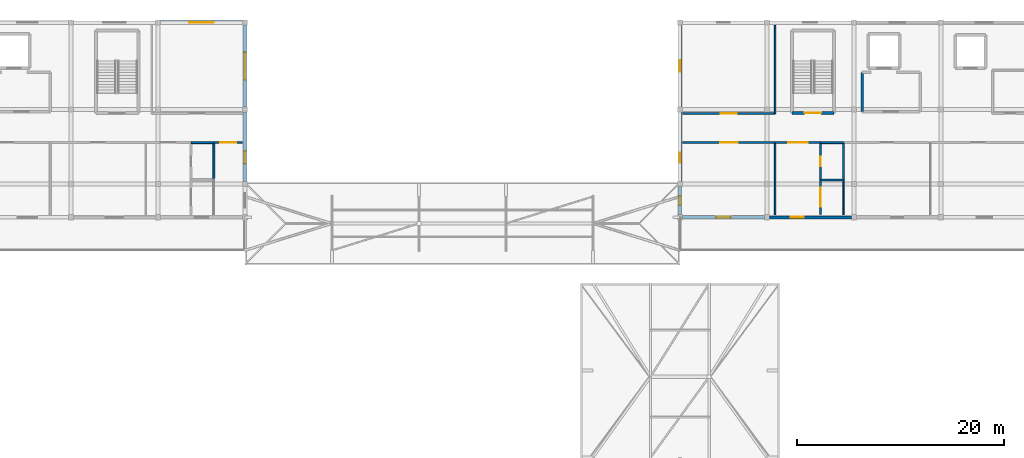
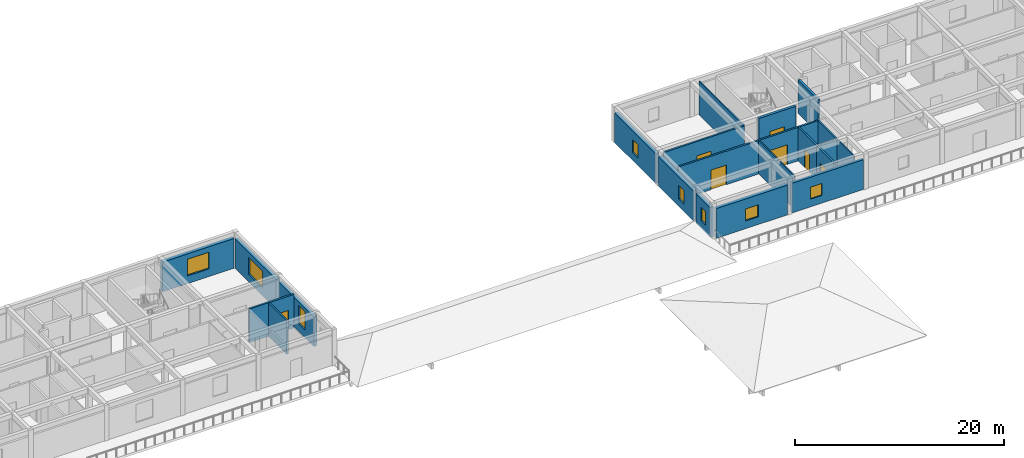
# One storey, part 14 of 26: 24 walls, 8 windows, 7 doors, 15 openings.
"""IFC4 building model written with IfcOpenShell, lengths in metres."""

import ifcopenshell
import ifcopenshell.guid

model = None  # the IFC model being written
_history = None  # IfcOwnerHistory: only IFC2X3 demands one
_inside = {}  # id of a spatial element -> (the spatial element, [elements in it])
_under = {}  # id of a project, library or spatial element -> (it, [spatial elements below it])
_declared = {}  # id of a project -> (the project, [libraries it declares])
_typed = {}  # id of a type object -> (the type object, [elements of that type])
_made_of = {}  # id of a material, layer set ... -> (it, [elements and type objects made of it])


def new_model(schema):
    """Start an empty IFC model of exactly this schema.

    Asked for "IFC4X3", IfcOpenShell would pick the latest addendum, in which some entities
    have other attributes; the version numbers below select the first issue.
    IFC2X3 requires an IfcOwnerHistory on every rooted entity: one is made here for all.
    """
    global model, _history
    if schema == "IFC4X3":
        model = ifcopenshell.file(schema_version=(4, 3, 0, 0))
    else:
        model = ifcopenshell.file(schema=schema)
    _inside.clear()
    _under.clear()
    _declared.clear()
    _typed.clear()
    _made_of.clear()
    _history = None
    if model.schema == "IFC2X3":
        org = make("IfcOrganization", Name="unknown")
        user = make(
            "IfcPersonAndOrganization",
            ThePerson=make("IfcPerson", FamilyName="unknown"),
            TheOrganization=org,
        )
        app = make(
            "IfcApplication",
            ApplicationDeveloper=org,
            Version="unknown",
            ApplicationFullName="unknown",
            ApplicationIdentifier="unknown",
        )
        _history = make(
            "IfcOwnerHistory",
            OwningUser=user,
            OwningApplication=app,
            ChangeAction="ADDED",
            CreationDate=0,
        )
    return model


def make(cls, **values):
    """One entity of the class cls with the attributes given. An attribute that is None is left unset."""
    return model.create_entity(
        cls, **{name: value for name, value in values.items() if value is not None}
    )


def rooted(cls, **values):
    """An entity with a GlobalId (a new one), such as an element, a storey or a relation."""
    return make(cls, GlobalId=ifcopenshell.guid.new(), OwnerHistory=_history, **values)


def si_unit(unit_type, name, prefix=None):
    """IfcSIUnit, for example si_unit("LENGTHUNIT", "METRE", prefix="MILLI")."""
    return make("IfcSIUnit", UnitType=unit_type, Prefix=prefix, Name=name)


def assignment(units):
    """IfcUnitAssignment: the units of a project."""
    return None if units is None else make("IfcUnitAssignment", Units=units)


def point(xyz):
    """IfcCartesianPoint."""
    return None if xyz is None else make("IfcCartesianPoint", Coordinates=xyz)


def direction(xyz):
    """IfcDirection."""
    return None if xyz is None else make("IfcDirection", DirectionRatios=xyz)


def frame(location, z_axis=None, x_axis=None):
    """IfcAxis2Placement3D, a coordinate frame: its origin and axes. An axis left out is left unset."""
    return make(
        "IfcAxis2Placement3D",
        Location=point(location),
        Axis=direction(z_axis),
        RefDirection=direction(x_axis),
    )


def frame_2d(location, x_axis=None):
    """IfcAxis2Placement2D, a coordinate frame in the plane: its origin and x axis."""
    return make(
        "IfcAxis2Placement2D", Location=point(location), RefDirection=direction(x_axis)
    )


def origin():
    """The frame at (0, 0, 0) with its axes left unset."""
    return frame((0.0, 0.0, 0.0))


def place(relative_to, where):
    """IfcLocalPlacement: puts the frame where relative to a parent placement (None: the world)."""
    return make(
        "IfcLocalPlacement", PlacementRelTo=relative_to, RelativePlacement=where
    )


def context(
    kind, dimensions, precision=None, world=None, true_north=None, identifier=None
):
    """IfcGeometricRepresentationContext, for example the 3D "Model" context."""
    return make(
        "IfcGeometricRepresentationContext",
        ContextIdentifier=identifier,
        ContextType=kind,
        CoordinateSpaceDimension=dimensions,
        Precision=precision,
        WorldCoordinateSystem=world,
        TrueNorth=true_north,
    )


def subcontext(parent, identifier, kind, view, scale=None):
    """IfcGeometricRepresentationSubContext, for example "Body" below "Model"."""
    return make(
        "IfcGeometricRepresentationSubContext",
        ContextIdentifier=identifier,
        ContextType=kind,
        ParentContext=parent,
        TargetScale=scale,
        TargetView=view,
    )


def project(units=None, contexts=None):
    """IfcProject with its units and contexts."""
    return rooted(
        "IfcProject",
        Name="project",
        RepresentationContexts=contexts,
        UnitsInContext=assignment(units),
    )


def spatial(cls, under=None, at=None, **own):
    """A site, building, storey or space (cls), placed at a placement, below another one or the project."""
    s = rooted(cls, ObjectPlacement=at, **own)
    if under is not None:
        _under.setdefault(under.id(), (under, []))[1].append(s)
    return s


def profile(cls, at=None, kind="AREA", **sizes):
    """A parametric profile (cls). Its sizes go by their IFC names, for example OverallWidth=200.0."""
    return make(cls, ProfileType=kind, Position=at, **sizes)


def rectangle(**sizes):
    """IfcRectangleProfileDef."""
    return profile("IfcRectangleProfileDef", **sizes)


def extrude(swept, where, along, depth):
    """IfcExtrudedAreaSolid: the profile swept, set in the frame where, extruded along a direction by depth."""
    return make(
        "IfcExtrudedAreaSolid",
        SweptArea=swept,
        Position=where,
        ExtrudedDirection=direction(along),
        Depth=depth,
    )


def shape(context_of_items, identifier, shape_type, items):
    """IfcShapeRepresentation: the items that make up one representation, for example the "Body"."""
    return make(
        "IfcShapeRepresentation",
        ContextOfItems=context_of_items,
        RepresentationIdentifier=identifier,
        RepresentationType=shape_type,
        Items=items,
    )


def material(Name=None, Category=None):
    """IfcMaterial."""
    return make("IfcMaterial", Name=Name, Category=Category)


def layer(
    of_material, thickness, ventilated=None, Name=None, Category=None, Priority=None
):
    """IfcMaterialLayer: one layer of a wall or slab, of a material (None: an air gap)."""
    return make(
        "IfcMaterialLayer",
        Material=of_material,
        LayerThickness=thickness,
        IsVentilated=ventilated,
        Name=Name,
        Category=Category,
        Priority=Priority,
    )


def layer_set(layers, Name=None):
    """IfcMaterialLayerSet."""
    return make("IfcMaterialLayerSet", MaterialLayers=layers, LayerSetName=Name)


def made_of(thing, what):
    """Note that an element or type object is made of a material, layer set ...; save() writes the relation."""
    if what is not None:
        _made_of.setdefault(what.id(), (what, []))[1].append(thing)
    return thing


def type_object(cls, material=None, **own):
    """A type object (cls), such as IfcWallType, which elements share."""
    return made_of(rooted(cls, **own), material)


def element(
    cls,
    number,
    at=None,
    inside=None,
    cuts=None,
    type_object=None,
    material=None,
    context=None,
    identifier="Body",
    shape_type=None,
    held_by="IfcProductDefinitionShape",
    body=None,
    shapes=None,
    **own,
):
    """One element of the class cls, such as IfcWall. Its Tag is "e" and its number.

    at: its placement. inside: the storey or other place that contains it. cuts: it is an
    opening in that element (IfcRelVoidsElement). A single representation is given by context,
    identifier, shape_type and body (its items); several are given by shapes. held_by: the class
    of the entity that holds the representations. save() writes the other relations.
    """
    e = rooted(cls, Tag="e%d" % number, ObjectPlacement=at, **own)
    if body is not None:
        shapes = [shape(context, identifier, shape_type, body)]
    if shapes is not None:
        e.Representation = make(held_by, Representations=shapes)
    if inside is not None:
        _inside.setdefault(inside.id(), (inside, []))[1].append(e)
    if cuts is not None:
        rooted(
            "IfcRelVoidsElement", RelatingBuildingElement=cuts, RelatedOpeningElement=e
        )
    if type_object is not None:
        _typed.setdefault(type_object.id(), (type_object, []))[1].append(e)
    return made_of(e, material)


def fill(opening, filler):
    """IfcRelFillsElement: the door or window that sits in an opening."""
    return rooted(
        "IfcRelFillsElement",
        RelatingOpeningElement=opening,
        RelatedBuildingElement=filler,
    )


def aggregate(whole, parts):
    """IfcRelAggregates: a whole, such as a stair, and the parts it consists of."""
    return rooted("IfcRelAggregates", RelatingObject=whole, RelatedObjects=parts)


def save(model, path):
    """Write the relations noted so far, then the file.

    IfcRelAggregates (storeys below a building ...), IfcRelContainedInSpatialStructure (elements
    in a storey), IfcRelDefinesByType, IfcRelAssociatesMaterial and IfcRelDeclares: one each for
    every whole, place, type object, material and project.
    """
    for whole, parts in _under.values():
        aggregate(whole, parts)
    for where, things in _inside.values():
        rooted(
            "IfcRelContainedInSpatialStructure",
            RelatedElements=things,
            RelatingStructure=where,
        )
    for kind, things in _typed.values():
        rooted("IfcRelDefinesByType", RelatedObjects=things, RelatingType=kind)
    for what, things in _made_of.values():
        rooted("IfcRelAssociatesMaterial", RelatedObjects=things, RelatingMaterial=what)
    for by, libraries in _declared.values():
        rooted("IfcRelDeclares", RelatingContext=by, RelatedDefinitions=libraries)
    model.write(path)


model = new_model("IFC4")

# Units and contexts
model_context = context("Model", 3, precision=1e-05, world=origin(), true_north=direction((0.0, 1.0)))
body_context = subcontext(model_context, "Body", "Model", "MODEL_VIEW")
ifc_project = project(units=[si_unit("LENGTHUNIT", "METRE"), si_unit("AREAUNIT", "SQUARE_METRE"), si_unit("VOLUMEUNIT", "CUBIC_METRE"), si_unit("PLANEANGLEUNIT", "RADIAN"), si_unit("MASSUNIT", "GRAM", prefix="KILO")], contexts=[model_context])

# Site, building, storey
site_placement = place(None, origin())
site = spatial("IfcSite", under=ifc_project, at=site_placement, CompositionType="ELEMENT")
building_placement = place(site_placement, origin())
building = spatial("IfcBuilding", under=site, at=building_placement, Name="Varncliffe General Hospital", CompositionType="ELEMENT")
storey_placement = place(building_placement, frame((0.0, 0.0, 28.800048828125)))
storey = spatial("IfcBuildingStorey", under=building, at=storey_placement, Name="L06", CompositionType="ELEMENT", Elevation=28.800048828125)

# Wall, opening, window
ifc_material_1 = material(Name="Precast concrete C40/50 with insulated cream lime-cement stucco", Category="concrete")
ifc_layer_1 = layer(ifc_material_1, 0.3798828125)
ifc_layer_set_1 = layer_set([ifc_layer_1], Name="Precast concrete C40/50 with insulated cream lime-cement stucco")
wall_type_1 = type_object("IfcWallType", Name="Exterior Insulated Stucco Wall EW26 (380mm)", PredefinedType="SOLIDWALL", material=ifc_layer_set_1)
wall_1_placement = place(storey_placement, frame((67.199951171875, 124.552001953125, 0.0), z_axis=(0.0, 0.0, 1.0), x_axis=(0.0, -1.0, 0.0)))
wall_1 = element("IfcWall", 1, at=wall_1_placement, inside=storey, type_object=wall_type_1, Name="L06 Exterior Stucco Wall EW26-492", PredefinedType="SOLIDWALL", context=body_context, shape_type="SweptSolid", body=[
    extrude(rectangle(XDim=7.904052734375, YDim=0.3798828125, at=frame_2d((3.9521484375, 0.0))), origin(), (0.0, 0.0, 1.0), 3.47998046875),
])
opening_1_placement = place(wall_1_placement, frame((2.626953125, 0.0, 0.89990234375)))
opening_1 = element("IfcOpeningElement", 2, at=opening_1_placement, cuts=wall_1, Name="Opening WN30", PredefinedType="OPENING", context=body_context, shape_type="SweptSolid", body=[
    extrude(rectangle(XDim=2.64990234375, YDim=1.949951171875, at=frame_2d((1.324951171875, 0.97509765625))), frame((0.0, 0.199951171875, 0.0), z_axis=(0.0, -1.0, 0.0), x_axis=(1.0, 0.0, 0.0)), (0.0, 0.0, 1.0), 0.39990234375),
])
ifc_material_2 = material(Name="Triple low-E argon insulated vision glazing", Category="glass")
window_type_1 = type_object("IfcWindowType", Name="Triple-Glazed Hospital Window WN30 (2650x1950)", PartitioningType="DOUBLE_PANEL_VERTICAL", PredefinedType="WINDOW", material=ifc_material_2)
window_1_placement = place(opening_1_placement, origin())
window_1 = element("IfcWindow", 3, at=window_1_placement, inside=storey, type_object=window_type_1, Name="L06 Hospital Window WN30-384", OverallHeight=1.949951171875, OverallWidth=2.64990234375, PartitioningType="DOUBLE_PANEL_VERTICAL", PredefinedType="WINDOW", context=body_context, shape_type="SweptSolid", body=[
    extrude(rectangle(XDim=2.64990234375, YDim=1.949951171875, at=frame_2d((1.324951171875, 0.97509765625))), frame((0.0, 0.030029296875, 0.0), z_axis=(0.0, -1.0, 0.0), x_axis=(1.0, 0.0, 0.0)), (0.0, 0.0, 1.0), 0.06005859375),
])
fill(opening_1, window_1)

wall_2_placement = place(storey_placement, frame((117.35205078125, 106.0, 0.0), z_axis=(0.0, 0.0, 1.0), x_axis=(-1.0, 0.0, 0.0)))
wall_2 = element("IfcWall", 4, at=wall_2_placement, inside=storey, type_object=wall_type_1, Name="L06 Exterior Stucco Wall EW26-513", PredefinedType="SOLIDWALL", context=body_context, shape_type="SweptSolid", body=[
    extrude(rectangle(XDim=7.904052734375, YDim=0.3798828125, at=frame_2d((3.9521484375, 0.0))), origin(), (0.0, 0.0, 1.0), 3.47998046875),
])
opening_2_placement = place(wall_2_placement, frame((3.251953125, 0.0, 0.89990234375)))
opening_2 = element("IfcOpeningElement", 5, at=opening_2_placement, cuts=wall_2, Name="Opening WN76", PredefinedType="OPENING", context=body_context, shape_type="SweptSolid", body=[
    extrude(rectangle(XDim=1.39990234375, YDim=1.39990234375, at=frame_2d((0.699951171875, 0.699951171875))), frame((0.0, 0.199951171875, 0.0), z_axis=(0.0, -1.0, 0.0), x_axis=(1.0, 0.0, 0.0)), (0.0, 0.0, 1.0), 0.39990234375),
])
window_type_2 = type_object("IfcWindowType", Name="Triple-Glazed Hospital Window WN76 (1400x1400)", PartitioningType="SINGLE_PANEL", PredefinedType="WINDOW", material=ifc_material_2)
window_2_placement = place(opening_2_placement, origin())
window_2 = element("IfcWindow", 6, at=window_2_placement, inside=storey, type_object=window_type_2, Name="L06 Hospital Window WN76-402", OverallHeight=1.39990234375, OverallWidth=1.39990234375, PartitioningType="SINGLE_PANEL", PredefinedType="WINDOW", context=body_context, shape_type="SweptSolid", body=[
    extrude(rectangle(XDim=1.39990234375, YDim=1.39990234375, at=frame_2d((0.699951171875, 0.699951171875))), frame((0.0, 0.030029296875, 0.0), z_axis=(0.0, -1.0, 0.0), x_axis=(1.0, 0.0, 0.0)), (0.0, 0.0, 1.0), 0.06005859375),
])
fill(opening_2, window_2)

wall_3_placement = place(storey_placement, frame((109.199951171875, 116.64794921875, 0.0), z_axis=(0.0, 0.0, 1.0), x_axis=(0.0, 1.0, 0.0)))
wall_3 = element("IfcWall", 7, at=wall_3_placement, inside=storey, type_object=wall_type_1, Name="L06 Exterior Stucco Wall EW26-516", PredefinedType="SOLIDWALL", context=body_context, shape_type="SweptSolid", body=[
    extrude(rectangle(XDim=7.904052734375, YDim=0.3798828125, at=frame_2d((3.9521484375, 0.0))), origin(), (0.0, 0.0, 1.0), 3.47998046875),
])
opening_3_placement = place(wall_3_placement, frame((3.402099609375, 0.0, 0.89990234375)))
opening_3 = element("IfcOpeningElement", 8, at=opening_3_placement, cuts=wall_3, Name="Opening WN69", PredefinedType="OPENING", context=body_context, shape_type="SweptSolid", body=[
    extrude(rectangle(XDim=1.10009765625, YDim=1.550048828125, at=frame_2d((0.550048828125, 0.77490234375))), frame((0.0, 0.199951171875, 0.0), z_axis=(0.0, -1.0, 0.0), x_axis=(1.0, 0.0, 0.0)), (0.0, 0.0, 1.0), 0.39990234375),
])
window_type_3 = type_object("IfcWindowType", Name="Triple-Glazed Hospital Window WN69 (1100x1550)", PartitioningType="SINGLE_PANEL", PredefinedType="WINDOW", material=ifc_material_2)
window_3_placement = place(opening_3_placement, origin())
window_3 = element("IfcWindow", 9, at=window_3_placement, inside=storey, type_object=window_type_3, Name="L06 Hospital Window WN69-405", OverallHeight=1.550048828125, OverallWidth=1.10009765625, PartitioningType="SINGLE_PANEL", PredefinedType="WINDOW", context=body_context, shape_type="SweptSolid", body=[
    extrude(rectangle(XDim=1.10009765625, YDim=1.550048828125, at=frame_2d((0.550048828125, 0.77490234375))), frame((0.0, 0.030029296875, 0.0), z_axis=(0.0, -1.0, 0.0), x_axis=(1.0, 0.0, 0.0)), (0.0, 0.0, 1.0), 0.06005859375),
])
fill(opening_3, window_3)

ifc_layer_2 = layer(ifc_material_1, 0.2900390625)
ifc_layer_set_2 = layer_set([ifc_layer_2], Name="Precast concrete C40/50 with insulated cream lime-cement stucco")
wall_type_2 = type_object("IfcWallType", Name="Exterior Insulated Stucco Wall EW31 (290mm)", PredefinedType="SOLIDWALL", material=ifc_layer_set_2)
wall_4_placement = place(storey_placement, frame((125.751953125, 106.0, 0.0), z_axis=(0.0, 0.0, 1.0), x_axis=(-1.0, 0.0, 0.0)))
wall_4 = element("IfcWall", 10, at=wall_4_placement, inside=storey, type_object=wall_type_2, Name="L06 Exterior Stucco Wall EW31-512", PredefinedType="SOLIDWALL", context=body_context, shape_type="SweptSolid", body=[
    extrude(rectangle(XDim=7.904052734375, YDim=0.2900390625, at=frame_2d((3.9521484375, 0.0))), origin(), (0.0, 0.0, 1.0), 3.47998046875),
])
opening_4_placement = place(wall_4_placement, frame((4.593017578125, 0.0, 0.89990234375)))
opening_4 = element("IfcOpeningElement", 11, at=opening_4_placement, cuts=wall_4, Name="Opening WN43", PredefinedType="OPENING", context=body_context, shape_type="SweptSolid", body=[
    extrude(rectangle(XDim=1.25, YDim=1.39990234375, at=frame_2d((0.625, 0.699951171875))), frame((0.0, 0.155029296875, 0.0), z_axis=(0.0, -1.0, 0.0), x_axis=(1.0, 0.0, 0.0)), (0.0, 0.0, 1.0), 0.31005859375),
])
window_type_4 = type_object("IfcWindowType", Name="Triple-Glazed Hospital Window WN43 (1250x1400)", PartitioningType="SINGLE_PANEL", PredefinedType="WINDOW", material=ifc_material_2)
window_4_placement = place(opening_4_placement, origin())
window_4 = element("IfcWindow", 12, at=window_4_placement, inside=storey, type_object=window_type_4, Name="L06 Hospital Window WN43-401", OverallHeight=1.39990234375, OverallWidth=1.25, PartitioningType="SINGLE_PANEL", PredefinedType="WINDOW", context=body_context, shape_type="SweptSolid", body=[
    extrude(rectangle(XDim=1.25, YDim=1.39990234375, at=frame_2d((0.625, 0.699951171875))), frame((0.0, 0.030029296875, 0.0), z_axis=(0.0, -1.0, 0.0), x_axis=(1.0, 0.0, 0.0)), (0.0, 0.0, 1.0), 0.06005859375),
])
fill(opening_4, window_4)

ifc_layer_3 = layer(ifc_material_1, 0.35009765625)
ifc_layer_set_3 = layer_set([ifc_layer_3], Name="Precast concrete C40/50 with insulated cream lime-cement stucco")
wall_type_3 = type_object("IfcWallType", Name="Exterior Insulated Stucco Wall EW37 (350mm)", PredefinedType="SOLIDWALL", material=ifc_layer_set_3)
wall_5_placement = place(storey_placement, frame((67.199951171875, 116.152099609375, 0.0), z_axis=(0.0, 0.0, 1.0), x_axis=(0.0, -1.0, 0.0)))
wall_5 = element("IfcWall", 13, at=wall_5_placement, inside=storey, type_object=wall_type_3, Name="L06 Exterior Stucco Wall EW37-493", PredefinedType="SOLIDWALL", context=body_context, shape_type="SweptSolid", body=[
    extrude(rectangle(XDim=6.7041015625, YDim=0.35009765625, at=frame_2d((3.35205078125, 0.0))), origin(), (0.0, 0.0, 1.0), 3.47998046875),
])
opening_5_placement = place(wall_5_placement, frame((3.764892578125, 0.0, 0.89990234375)))
opening_5 = element("IfcOpeningElement", 14, at=opening_5_placement, cuts=wall_5, Name="Opening WN36", PredefinedType="OPENING", context=body_context, shape_type="SweptSolid", body=[
    extrude(rectangle(XDim=1.199951171875, YDim=2.14990234375, at=frame_2d((0.60009765625, 1.074951171875))), frame((0.0, 0.18505859375, 0.0), z_axis=(0.0, -1.0, 0.0), x_axis=(1.0, 0.0, 0.0)), (0.0, 0.0, 1.0), 0.3701171875),
])
window_type_5 = type_object("IfcWindowType", Name="Triple-Glazed Hospital Window WN36 (1200x2150)", PartitioningType="SINGLE_PANEL", PredefinedType="WINDOW", material=ifc_material_2)
window_5_placement = place(opening_5_placement, origin())
window_5 = element("IfcWindow", 15, at=window_5_placement, inside=storey, type_object=window_type_5, Name="L06 Hospital Window WN36-385", OverallHeight=2.14990234375, OverallWidth=1.199951171875, PartitioningType="SINGLE_PANEL", PredefinedType="WINDOW", context=body_context, shape_type="SweptSolid", body=[
    extrude(rectangle(XDim=1.199951171875, YDim=2.14990234375, at=frame_2d((0.60009765625, 1.074951171875))), frame((0.0, 0.030029296875, 0.0), z_axis=(0.0, -1.0, 0.0), x_axis=(1.0, 0.0, 0.0)), (0.0, 0.0, 1.0), 0.06005859375),
])
fill(opening_5, window_5)

wall_6_placement = place(storey_placement, frame((109.199951171875, 106.248046875, 0.0), z_axis=(0.0, 0.0, 1.0), x_axis=(0.0, 1.0, 0.0)))
wall_6 = element("IfcWall", 16, at=wall_6_placement, inside=storey, type_object=wall_type_3, Name="L06 Exterior Stucco Wall EW37-514", PredefinedType="SOLIDWALL", context=body_context, shape_type="SweptSolid", body=[
    extrude(rectangle(XDim=2.703857421875, YDim=0.35009765625, at=frame_2d((1.35205078125, 0.0))), origin(), (0.0, 0.0, 1.0), 3.47998046875),
])
opening_6_placement = place(wall_6_placement, frame((0.902099609375, 0.0, 0.89990234375)))
opening_6 = element("IfcOpeningElement", 17, at=opening_6_placement, cuts=wall_6, Name="Opening WN45", PredefinedType="OPENING", context=body_context, shape_type="SweptSolid", body=[
    extrude(rectangle(XDim=0.89990234375, YDim=1.550048828125, at=frame_2d((0.449951171875, 0.77490234375))), frame((0.0, 0.18505859375, 0.0), z_axis=(0.0, -1.0, 0.0), x_axis=(1.0, 0.0, 0.0)), (0.0, 0.0, 1.0), 0.3701171875),
])
window_type_6 = type_object("IfcWindowType", Name="Triple-Glazed Hospital Window WN45 (900x1550)", PartitioningType="SINGLE_PANEL", PredefinedType="WINDOW", material=ifc_material_2)
window_6_placement = place(opening_6_placement, origin())
window_6 = element("IfcWindow", 18, at=window_6_placement, inside=storey, type_object=window_type_6, Name="L06 Hospital Window WN45-403", OverallHeight=1.550048828125, OverallWidth=0.89990234375, PartitioningType="SINGLE_PANEL", PredefinedType="WINDOW", context=body_context, shape_type="SweptSolid", body=[
    extrude(rectangle(XDim=0.89990234375, YDim=1.550048828125, at=frame_2d((0.449951171875, 0.77490234375))), frame((0.0, 0.030029296875, 0.0), z_axis=(0.0, -1.0, 0.0), x_axis=(1.0, 0.0, 0.0)), (0.0, 0.0, 1.0), 0.06005859375),
])
fill(opening_6, window_6)

ifc_layer_4 = layer(ifc_material_1, 0.39990234375)
ifc_layer_set_4 = layer_set([ifc_layer_4], Name="Precast concrete C40/50 with insulated cream lime-cement stucco")
wall_type_4 = type_object("IfcWallType", Name="Exterior Insulated Stucco Wall EW47 (400mm)", PredefinedType="SOLIDWALL", material=ifc_layer_set_4)
wall_7_placement = place(storey_placement, frame((59.048095703125, 124.800048828125, 0.0), z_axis=(0.0, 0.0, 1.0), x_axis=(1.0, 0.0, 0.0)))
wall_7 = element("IfcWall", 19, at=wall_7_placement, inside=storey, type_object=wall_type_4, Name="L06 Exterior Stucco Wall EW47-491", PredefinedType="SOLIDWALL", context=body_context, shape_type="SweptSolid", body=[
    extrude(rectangle(XDim=7.90380859375, YDim=0.39990234375, at=frame_2d((3.951904296875, 0.0))), origin(), (0.0, 0.0, 1.0), 3.47998046875),
])
opening_7_placement = place(wall_7_placement, frame((2.751953125, 0.0, 0.89990234375)))
opening_7 = element("IfcOpeningElement", 20, at=opening_7_placement, cuts=wall_7, Name="Opening WN16", PredefinedType="OPENING", context=body_context, shape_type="SweptSolid", body=[
    extrude(rectangle(XDim=2.39990234375, YDim=1.949951171875, at=frame_2d((1.199951171875, 0.97509765625))), frame((0.0, 0.2099609375, 0.0), z_axis=(0.0, -1.0, 0.0), x_axis=(1.0, 0.0, 0.0)), (0.0, 0.0, 1.0), 0.419921875),
])
window_type_7 = type_object("IfcWindowType", Name="Triple-Glazed Hospital Window WN16 (2400x1950)", PartitioningType="DOUBLE_PANEL_VERTICAL", PredefinedType="WINDOW", material=ifc_material_2)
window_7_placement = place(opening_7_placement, origin())
window_7 = element("IfcWindow", 21, at=window_7_placement, inside=storey, type_object=window_type_7, Name="L06 Hospital Window WN16-383", OverallHeight=1.949951171875, OverallWidth=2.39990234375, PartitioningType="DOUBLE_PANEL_VERTICAL", PredefinedType="WINDOW", context=body_context, shape_type="SweptSolid", body=[
    extrude(rectangle(XDim=2.39990234375, YDim=1.949951171875, at=frame_2d((1.199951171875, 0.97509765625))), frame((0.0, 0.030029296875, 0.0), z_axis=(0.0, -1.0, 0.0), x_axis=(1.0, 0.0, 0.0)), (0.0, 0.0, 1.0), 0.06005859375),
])
fill(opening_7, window_7)

wall_8_placement = place(storey_placement, frame((109.199951171875, 109.447998046875, 0.0), z_axis=(0.0, 0.0, 1.0), x_axis=(0.0, 1.0, 0.0)))
wall_8 = element("IfcWall", 22, at=wall_8_placement, inside=storey, type_object=wall_type_4, Name="L06 Exterior Stucco Wall EW47-515", PredefinedType="SOLIDWALL", context=body_context, shape_type="SweptSolid", body=[
    extrude(rectangle(XDim=6.7041015625, YDim=0.39990234375, at=frame_2d((3.35205078125, 0.0))), origin(), (0.0, 0.0, 1.0), 3.47998046875),
])
opening_8_placement = place(wall_8_placement, frame((1.795166015625, 0.0, 0.89990234375)))
opening_8 = element("IfcOpeningElement", 23, at=opening_8_placement, cuts=wall_8, Name="Opening WN21", PredefinedType="OPENING", context=body_context, shape_type="SweptSolid", body=[
    extrude(rectangle(XDim=1.0, YDim=1.550048828125, at=frame_2d((0.5, 0.77490234375))), frame((0.0, 0.2099609375, 0.0), z_axis=(0.0, -1.0, 0.0), x_axis=(1.0, 0.0, 0.0)), (0.0, 0.0, 1.0), 0.419921875),
])
window_type_8 = type_object("IfcWindowType", Name="Triple-Glazed Hospital Window WN21 (1000x1550)", PartitioningType="SINGLE_PANEL", PredefinedType="WINDOW", material=ifc_material_2)
window_8_placement = place(opening_8_placement, origin())
window_8 = element("IfcWindow", 24, at=window_8_placement, inside=storey, type_object=window_type_8, Name="L06 Hospital Window WN21-404", OverallHeight=1.550048828125, OverallWidth=1.0, PartitioningType="SINGLE_PANEL", PredefinedType="WINDOW", context=body_context, shape_type="SweptSolid", body=[
    extrude(rectangle(XDim=1.0, YDim=1.550048828125, at=frame_2d((0.5, 0.77490234375))), frame((0.0, 0.030029296875, 0.0), z_axis=(0.0, -1.0, 0.0), x_axis=(1.0, 0.0, 0.0)), (0.0, 0.0, 1.0), 0.06005859375),
])
fill(opening_8, window_8)

# Walls
ifc_material_3 = material(Name="Acoustic clinical gypsum stud partition assembly", Category="gypsum")
ifc_layer_5 = layer(ifc_material_3, 0.1298828125)
ifc_layer_set_5 = layer_set([ifc_layer_5], Name="Acoustic clinical gypsum stud partition assembly")
wall_type_5 = type_object("IfcWallType", Name="Interior Partitioning IW11 (130mm)", PredefinedType="PARTITIONING", material=ifc_layer_set_5)
wall_9_placement = place(storey_placement, frame((118.39990234375, 106.260009765625, 0.0), z_axis=(0.0, 0.0, 1.0), x_axis=(0.0, 1.0, 0.0)))
element("IfcWall", 25, at=wall_9_placement, inside=storey, type_object=wall_type_5, Name="L06 Interior Partition Wall IW11-2293", PredefinedType="PARTITIONING", context=body_context, shape_type="SweptSolid", body=[
    extrude(rectangle(XDim=6.93994140625, YDim=0.1298828125, at=frame_2d((3.469970703125, 0.0))), origin(), (0.0, 0.0, 1.0), 3.919921875),
])
ifc_layer_6 = layer(ifc_material_3, 0.14990234375)
ifc_layer_set_6 = layer_set([ifc_layer_6], Name="Acoustic clinical gypsum stud partition assembly")
wall_type_6 = type_object("IfcWallType", Name="Interior Partitioning IW35 (150mm)", PredefinedType="PARTITIONING", material=ifc_layer_set_6)
wall_10_placement = place(storey_placement, frame((118.39990234375, 116.0, 0.0), z_axis=(0.0, 0.0, 1.0), x_axis=(0.0, 1.0, 0.0)))
element("IfcWall", 26, at=wall_10_placement, inside=storey, type_object=wall_type_6, Name="L06 Interior Partition Wall IW35-2294", PredefinedType="PARTITIONING", context=body_context, shape_type="SweptSolid", body=[
    extrude(rectangle(XDim=8.5400390625, YDim=0.14990234375, at=frame_2d((4.27001953125, 0.0))), origin(), (0.0, 0.0, 1.0), 3.919921875),
])
ifc_layer_7 = layer(ifc_material_3, 0.110107421875)
ifc_layer_set_7 = layer_set([ifc_layer_7], Name="Acoustic clinical gypsum stud partition assembly")
wall_type_7 = type_object("IfcWallType", Name="Interior Partitioning IW65 (110mm)", PredefinedType="PARTITIONING", material=ifc_layer_set_7)
wall_11_placement = place(storey_placement, frame((125.0, 106.260009765625, 0.0), z_axis=(0.0, 0.0, 1.0), x_axis=(0.0, 1.0, 0.0)))
element("IfcWall", 27, at=wall_11_placement, inside=storey, type_object=wall_type_7, Name="L06 Interior Partition Wall IW65-2297", PredefinedType="PARTITIONING", context=body_context, shape_type="SweptSolid", body=[
    extrude(rectangle(XDim=3.340087890625, YDim=0.110107421875, at=frame_2d((1.669921875, 0.0))), origin(), (0.0, 0.0, 1.0), 3.919921875),
])
ifc_material_4 = material(Name="Fire-rated gypsum and mineral-wool partition assembly", Category="gypsum")
ifc_layer_8 = layer(ifc_material_4, 0.25)
ifc_layer_set_8 = layer_set([ifc_layer_8], Name="Fire-rated gypsum and mineral-wool partition assembly")
wall_type_8 = type_object("IfcWallType", Name="Interior Partitioning PW38 (250mm)", PredefinedType="PARTITIONING", material=ifc_layer_set_8)
wall_12_placement = place(storey_placement, frame((126.800048828125, 116.199951171875, 0.0), z_axis=(0.0, 0.0, 1.0), x_axis=(0.0, 1.0, 0.0)))
element("IfcWall", 28, at=wall_12_placement, inside=storey, type_object=wall_type_8, Name="L06 Interior Partition Wall PW38-2299", PredefinedType="PARTITIONING", context=body_context, shape_type="SweptSolid", body=[
    extrude(rectangle(XDim=3.800048828125, YDim=0.25, at=frame_2d((1.89990234375, 0.0))), origin(), (0.0, 0.0, 1.0), 3.919921875),
])

# Wall, opening, door
ifc_layer_9 = layer(ifc_material_4, 0.199951171875)
ifc_layer_set_9 = layer_set([ifc_layer_9], Name="Fire-rated gypsum and mineral-wool partition assembly")
wall_type_9 = type_object("IfcWallType", Name="Interior Partitioning PW63 (200mm)", PredefinedType="PARTITIONING", material=ifc_layer_set_9)
wall_13_placement = place(storey_placement, frame((64.199951171875, 113.199951171875, 0.0), z_axis=(0.0, 0.0, 1.0), x_axis=(1.0, 0.0, 0.0)))
wall_13 = element("IfcWall", 29, at=wall_13_placement, inside=storey, type_object=wall_type_9, Name="L06 Interior Partition Wall PW63-2223", PredefinedType="PARTITIONING", context=body_context, shape_type="SweptSolid", body=[
    extrude(rectangle(XDim=2.739990234375, YDim=0.199951171875, at=frame_2d((1.3701171875, 0.0))), origin(), (0.0, 0.0, 1.0), 3.919921875),
])
opening_9_placement = place(wall_13_placement, frame((0.594970703125, 0.0, 0.0)))
opening_9 = element("IfcOpeningElement", 30, at=opening_9_placement, cuts=wall_13, Name="Opening DC67", PredefinedType="OPENING", context=body_context, shape_type="SweptSolid", body=[
    extrude(rectangle(XDim=1.550048828125, YDim=2.25, at=frame_2d((0.77490234375, 1.125))), frame((0.0, 0.10986328125, 0.0), z_axis=(0.0, -1.0, 0.0), x_axis=(1.0, 0.0, 0.0)), (0.0, 0.0, 1.0), 0.219970703125),
])
ifc_material_5 = material(Name="Fire-rated hospital steel-frame vision-panel door", Category="steel")
door_type_1 = type_object("IfcDoorType", Name="Interior Hospital Door DC67 (1550x2250)", OperationType="NOTDEFINED", PredefinedType="DOOR", material=ifc_material_5)
door_1_placement = place(opening_9_placement, frame((1.550048828125, 0.0, 0.0), z_axis=(0.0, 0.0, 1.0), x_axis=(-1.0, 0.0, 0.0)))
door_1 = element("IfcDoor", 31, at=door_1_placement, inside=storey, type_object=door_type_1, Name="L06 Paediatric Playroom and Daylight Lounge 31 Door", OperationType="SINGLE_SWING_LEFT", OverallHeight=2.25, OverallWidth=1.550048828125, PredefinedType="DOOR", context=body_context, shape_type="SweptSolid", body=[
    extrude(rectangle(XDim=1.550048828125, YDim=2.25, at=frame_2d((0.77490234375, 1.125))), frame((0.0, 0.02490234375, 0.0), z_axis=(0.0, -1.0, 0.0), x_axis=(1.0, 0.0, 0.0)), (0.0, 0.0, 1.0), 0.050048828125),
])
fill(opening_9, door_1)

wall_14_placement = place(storey_placement, frame((109.4599609375, 113.199951171875, 0.0), z_axis=(0.0, 0.0, 1.0), x_axis=(1.0, 0.0, 0.0)))
wall_14 = element("IfcWall", 32, at=wall_14_placement, inside=storey, type_object=wall_type_9, Name="L06 Interior Partition Wall PW63-2224", PredefinedType="PARTITIONING", context=body_context, shape_type="SweptSolid", body=[
    extrude(rectangle(XDim=8.93994140625, YDim=0.199951171875, at=frame_2d((4.469970703125, 0.0))), origin(), (0.0, 0.0, 1.0), 3.919921875),
])
opening_10_placement = place(wall_14_placement, frame((3.6201171875, 0.0, 0.0)))
opening_10 = element("IfcOpeningElement", 33, at=opening_10_placement, cuts=wall_14, Name="Opening DC50", PredefinedType="OPENING", context=body_context, shape_type="SweptSolid", body=[
    extrude(rectangle(XDim=1.699951171875, YDim=2.300048828125, at=frame_2d((0.85009765625, 1.14990234375))), frame((0.0, 0.10986328125, 0.0), z_axis=(0.0, -1.0, 0.0), x_axis=(1.0, 0.0, 0.0)), (0.0, 0.0, 1.0), 0.219970703125),
])
door_type_2 = type_object("IfcDoorType", Name="Interior Hospital Door DC50 (1700x2300)", OperationType="NOTDEFINED", PredefinedType="DOOR", material=ifc_material_5)
door_2_placement = place(opening_10_placement, frame((1.699951171875, 0.0, 0.0), z_axis=(0.0, 0.0, 1.0), x_axis=(-1.0, 0.0, 0.0)))
door_2 = element("IfcDoor", 34, at=door_2_placement, inside=storey, type_object=door_type_2, Name="L06 Neonatal Intensive Care Nursery NICU 32 Door", OperationType="SINGLE_SWING_RIGHT", OverallHeight=2.300048828125, OverallWidth=1.699951171875, PredefinedType="DOOR", context=body_context, shape_type="SweptSolid", body=[
    extrude(rectangle(XDim=1.699951171875, YDim=2.300048828125, at=frame_2d((0.85009765625, 1.14990234375))), frame((0.0, 0.02490234375, 0.0), z_axis=(0.0, -1.0, 0.0), x_axis=(1.0, 0.0, 0.0)), (0.0, 0.0, 1.0), 0.050048828125),
])
fill(opening_10, door_2)

wall_15_placement = place(storey_placement, frame((118.39990234375, 113.199951171875, 0.0), z_axis=(0.0, 0.0, 1.0), x_axis=(1.0, 0.0, 0.0)))
wall_15 = element("IfcWall", 35, at=wall_15_placement, inside=storey, type_object=wall_type_9, Name="L06 Interior Partition Wall PW63-2225", PredefinedType="PARTITIONING", context=body_context, shape_type="SweptSolid", body=[
    extrude(rectangle(XDim=4.400146484375, YDim=0.199951171875, at=frame_2d((2.2001953125, 0.0))), origin(), (0.0, 0.0, 1.0), 3.919921875),
])
opening_11_placement = place(wall_15_placement, frame((1.27490234375, 0.0, 0.0)))
opening_11 = element("IfcOpeningElement", 36, at=opening_11_placement, cuts=wall_15, Name="Opening DC38", PredefinedType="OPENING", context=body_context, shape_type="SweptSolid", body=[
    extrude(rectangle(XDim=1.85009765625, YDim=2.300048828125, at=frame_2d((0.925048828125, 1.14990234375))), frame((0.0, 0.10986328125, 0.0), z_axis=(0.0, -1.0, 0.0), x_axis=(1.0, 0.0, 0.0)), (0.0, 0.0, 1.0), 0.219970703125),
])
door_type_3 = type_object("IfcDoorType", Name="Interior Hospital Door DC38 (1850x2300)", OperationType="NOTDEFINED", PredefinedType="DOOR", material=ifc_material_5)
door_3_placement = place(opening_11_placement, frame((1.85009765625, 0.0, 0.0), z_axis=(0.0, 0.0, 1.0), x_axis=(-1.0, 0.0, 0.0)))
door_3 = element("IfcDoor", 37, at=door_3_placement, inside=storey, type_object=door_type_3, Name="L06 Paediatric Inpatient Bedroom 33 Door", OperationType="SINGLE_SWING_LEFT", OverallHeight=2.300048828125, OverallWidth=1.85009765625, PredefinedType="DOOR", context=body_context, shape_type="SweptSolid", body=[
    extrude(rectangle(XDim=1.85009765625, YDim=2.300048828125, at=frame_2d((0.925048828125, 1.14990234375))), frame((0.0, 0.02490234375, 0.0), z_axis=(0.0, -1.0, 0.0), x_axis=(1.0, 0.0, 0.0)), (0.0, 0.0, 1.0), 0.050048828125),
])
fill(opening_11, door_3)

wall_16_placement = place(storey_placement, frame((109.4599609375, 116.0, 0.0), z_axis=(0.0, 0.0, 1.0), x_axis=(1.0, 0.0, 0.0)))
wall_16 = element("IfcWall", 38, at=wall_16_placement, inside=storey, type_object=wall_type_9, Name="L06 Interior Partition Wall PW63-2240", PredefinedType="PARTITIONING", context=body_context, shape_type="SweptSolid", body=[
    extrude(rectangle(XDim=8.93994140625, YDim=0.199951171875, at=frame_2d((4.469970703125, 0.0))), origin(), (0.0, 0.0, 1.0), 3.919921875),
])
opening_12_placement = place(wall_16_placement, frame((3.695068359375, 0.0, 0.0)))
opening_12 = element("IfcOpeningElement", 39, at=opening_12_placement, cuts=wall_16, Name="Opening DC67", PredefinedType="OPENING", context=body_context, shape_type="SweptSolid", body=[
    extrude(rectangle(XDim=1.550048828125, YDim=2.25, at=frame_2d((0.77490234375, 1.125))), frame((0.0, 0.10986328125, 0.0), z_axis=(0.0, -1.0, 0.0), x_axis=(1.0, 0.0, 0.0)), (0.0, 0.0, 1.0), 0.219970703125),
])
door_4_placement = place(opening_12_placement, origin())
door_4 = element("IfcDoor", 40, at=door_4_placement, inside=storey, type_object=door_type_1, Name="L06 Neonatal Intensive Care Nursery NICU 49 Door", OperationType="SINGLE_SWING_LEFT", OverallHeight=2.25, OverallWidth=1.550048828125, PredefinedType="DOOR", context=body_context, shape_type="SweptSolid", body=[
    extrude(rectangle(XDim=1.550048828125, YDim=2.25, at=frame_2d((0.77490234375, 1.125))), frame((0.0, 0.02490234375, 0.0), z_axis=(0.0, -1.0, 0.0), x_axis=(1.0, 0.0, 0.0)), (0.0, 0.0, 1.0), 0.050048828125),
])
fill(opening_12, door_4)

wall_17_placement = place(storey_placement, frame((122.800048828125, 106.260009765625, 0.0), z_axis=(0.0, 0.0, 1.0), x_axis=(0.0, 1.0, 0.0)))
wall_17 = element("IfcWall", 41, at=wall_17_placement, inside=storey, type_object=wall_type_9, Name="L06 Interior Partition Wall PW63-2295", PredefinedType="PARTITIONING", context=body_context, shape_type="SweptSolid", body=[
    extrude(rectangle(XDim=3.340087890625, YDim=0.199951171875, at=frame_2d((1.669921875, 0.0))), origin(), (0.0, 0.0, 1.0), 3.919921875),
])
opening_13_placement = place(wall_17_placement, frame((0.7451171875, 0.0, 0.0)))
opening_13 = element("IfcOpeningElement", 42, at=opening_13_placement, cuts=wall_17, Name="Opening DC38", PredefinedType="OPENING", context=body_context, shape_type="SweptSolid", body=[
    extrude(rectangle(XDim=1.85009765625, YDim=2.300048828125, at=frame_2d((0.925048828125, 1.14990234375))), frame((0.0, 0.10986328125, 0.0), z_axis=(0.0, -1.0, 0.0), x_axis=(1.0, 0.0, 0.0)), (0.0, 0.0, 1.0), 0.219970703125),
])
door_5_placement = place(opening_13_placement, frame((1.85009765625, 0.0, 0.0), z_axis=(0.0, 0.0, 1.0), x_axis=(-1.0, 0.0, 0.0)))
door_5 = element("IfcDoor", 43, at=door_5_placement, inside=storey, type_object=door_type_3, Name="L06 Patient Medication and Hygiene Bay 35 Door", OperationType="SINGLE_SWING_LEFT", OverallHeight=2.300048828125, OverallWidth=1.85009765625, PredefinedType="DOOR", context=body_context, shape_type="SweptSolid", body=[
    extrude(rectangle(XDim=1.85009765625, YDim=2.300048828125, at=frame_2d((0.925048828125, 1.14990234375))), frame((0.0, 0.02490234375, 0.0), z_axis=(0.0, -1.0, 0.0), x_axis=(1.0, 0.0, 0.0)), (0.0, 0.0, 1.0), 0.050048828125),
])
fill(opening_13, door_5)

wall_18_placement = place(storey_placement, frame((122.800048828125, 109.60009765625, 0.0), z_axis=(0.0, 0.0, 1.0), x_axis=(0.0, 1.0, 0.0)))
wall_18 = element("IfcWall", 44, at=wall_18_placement, inside=storey, type_object=wall_type_9, Name="L06 Interior Partition Wall PW63-2296", PredefinedType="PARTITIONING", context=body_context, shape_type="SweptSolid", body=[
    extrude(rectangle(XDim=3.599853515625, YDim=0.199951171875, at=frame_2d((1.7998046875, 0.0))), origin(), (0.0, 0.0, 1.0), 3.919921875),
])
opening_14_placement = place(wall_18_placement, frame((1.340087890625, 0.0, 0.0)))
opening_14 = element("IfcOpeningElement", 45, at=opening_14_placement, cuts=wall_18, Name="Opening DI70", PredefinedType="OPENING", context=body_context, shape_type="SweptSolid", body=[
    extrude(rectangle(XDim=0.919921875, YDim=2.10009765625, at=frame_2d((0.4599609375, 1.050048828125))), frame((0.0, 0.10986328125, 0.0), z_axis=(0.0, -1.0, 0.0), x_axis=(1.0, 0.0, 0.0)), (0.0, 0.0, 1.0), 0.219970703125),
])
ifc_material_6 = material(Name="Solid-core antimicrobial hospital oak veneer door", Category="wood")
door_type_4 = type_object("IfcDoorType", Name="Interior Hospital Door DI70 (920x2100)", OperationType="NOTDEFINED", PredefinedType="DOOR", material=ifc_material_6)
door_6_placement = place(opening_14_placement, frame((0.919921875, 0.0, 0.0), z_axis=(0.0, 0.0, 1.0), x_axis=(-1.0, 0.0, 0.0)))
door_6 = element("IfcDoor", 46, at=door_6_placement, inside=storey, type_object=door_type_4, Name="L06 En-Suite Bathroom 34 Door", OperationType="SINGLE_SWING_RIGHT", OverallHeight=2.10009765625, OverallWidth=0.919921875, PredefinedType="DOOR", context=body_context, shape_type="SweptSolid", body=[
    extrude(rectangle(XDim=0.919921875, YDim=2.10009765625, at=frame_2d((0.4599609375, 1.050048828125))), frame((0.0, 0.02490234375, 0.0), z_axis=(0.0, -1.0, 0.0), x_axis=(1.0, 0.0, 0.0)), (0.0, 0.0, 1.0), 0.050048828125),
])
fill(opening_14, door_6)

# Walls
ifc_material_7 = material(Name="Moisture-resistant plumbing chase wall assembly", Category="gypsum")
ifc_layer_10 = layer(ifc_material_7, 0.18994140625)
ifc_layer_set_10 = layer_set([ifc_layer_10], Name="Moisture-resistant plumbing chase wall assembly")
wall_type_10 = type_object("IfcWallType", Name="Interior Plumbingwall MW17 (190mm)", PredefinedType="PLUMBINGWALL", material=ifc_layer_set_10)
for number, where, z_axis, x_axis, name in (
    (47, (62.0, 113.199951171875, 0.0), (0.0, 0.0, 1.0), (1.0, 0.0, 0.0), "L06 Interior Plumbing Wall MW17-2222"),
    (48, (122.800048828125, 113.199951171875, 0.0), (0.0, 0.0, 1.0), (1.0, 0.0, 0.0), "L06 Interior Plumbing Wall MW17-2226"),
):
    element("IfcWall", number, at=place(storey_placement, frame(where, z_axis=z_axis, x_axis=x_axis)), inside=storey, type_object=wall_type_10, Name=name, PredefinedType="PLUMBINGWALL", context=body_context, shape_type="SweptSolid", body=[
        extrude(rectangle(XDim=2.199951171875, YDim=0.18994140625, at=frame_2d((1.10009765625, 0.0))), origin(), (0.0, 0.0, 1.0), 3.919921875),
    ])
for number, where, z_axis, x_axis, name in (
    (49, (64.199951171875, 109.60009765625, 0.0), (0.0, 0.0, 1.0), (0.0, 1.0, 0.0), "L06 Interior Plumbing Wall MW17-2292"),
    (50, (125.0, 109.60009765625, 0.0), (0.0, 0.0, 1.0), (0.0, 1.0, 0.0), "L06 Interior Plumbing Wall MW17-2298"),
):
    element("IfcWall", number, at=place(storey_placement, frame(where, z_axis=z_axis, x_axis=x_axis)), inside=storey, type_object=wall_type_10, Name=name, PredefinedType="PLUMBINGWALL", context=body_context, shape_type="SweptSolid", body=[
        extrude(rectangle(XDim=3.599853515625, YDim=0.18994140625, at=frame_2d((1.7998046875, 0.0))), origin(), (0.0, 0.0, 1.0), 3.919921875),
    ])
ifc_layer_11 = layer(ifc_material_7, 0.159912109375)
ifc_layer_set_11 = layer_set([ifc_layer_11], Name="Moisture-resistant plumbing chase wall assembly")
wall_type_11 = type_object("IfcWallType", Name="Interior Plumbingwall MW31 (160mm)", PredefinedType="PLUMBINGWALL", material=ifc_layer_set_11)
wall_19_placement = place(storey_placement, frame((122.800048828125, 109.60009765625, 0.0), z_axis=(0.0, 0.0, 1.0), x_axis=(1.0, 0.0, 0.0)))
element("IfcWall", 51, at=wall_19_placement, inside=storey, type_object=wall_type_11, Name="L06 Interior Plumbing Wall MW31-2209", PredefinedType="PLUMBINGWALL", context=body_context, shape_type="SweptSolid", body=[
    extrude(rectangle(XDim=2.199951171875, YDim=0.159912109375, at=frame_2d((1.10009765625, 0.0))), origin(), (0.0, 0.0, 1.0), 3.919921875),
])

# Wall, opening, door
ifc_material_8 = material(Name="Concrete C40/50 (CSA A23.1 40 MPa)", Category="concrete")
ifc_layer_12 = layer(ifc_material_8, 0.280029296875)
ifc_layer_set_12 = layer_set([ifc_layer_12], Name="Concrete C40/50 (CSA A23.1 40 MPa)")
wall_type_12 = type_object("IfcWallType", Name="Reinforced Concrete Core Shear Wall CW13 (280mm)", PredefinedType="SHEAR", material=ifc_layer_set_12)
wall_20_placement = place(storey_placement, frame((120.010009765625, 116.06005859375, 0.0), z_axis=(0.0, 0.0, 1.0), x_axis=(1.0, 0.0, 0.0)))
wall_20 = element("IfcWall", 52, at=wall_20_placement, inside=storey, type_object=wall_type_12, Name="L06 ST03 Core Shear Wall N", PredefinedType="SHEAR", context=body_context, shape_type="SweptSolid", body=[
    extrude(rectangle(XDim=4.080078125, YDim=0.280029296875, at=frame_2d((2.0400390625, 0.0))), origin(), (0.0, 0.0, 1.0), 4.199951171875),
])
opening_15_placement = place(wall_20_placement, frame((1.239990234375, 0.0, 0.0)))
opening_15 = element("IfcOpeningElement", 53, at=opening_15_placement, cuts=wall_20, Name="Opening DF27", PredefinedType="OPENING", context=body_context, shape_type="SweptSolid", body=[
    extrude(rectangle(XDim=1.60009765625, YDim=2.25, at=frame_2d((0.800048828125, 1.125))), frame((0.0, 0.14990234375, 0.0), z_axis=(0.0, -1.0, 0.0), x_axis=(1.0, 0.0, 0.0)), (0.0, 0.0, 1.0), 0.300048828125),
])
door_type_5 = type_object("IfcDoorType", Name="Interior Hospital Door DF27 (1600x2250)", OperationType="NOTDEFINED", PredefinedType="DOOR", material=ifc_material_5)
door_7_placement = place(opening_15_placement, frame((1.60009765625, 0.0, 0.0), z_axis=(0.0, 0.0, 1.0), x_axis=(-1.0, 0.0, 0.0)))
door_7 = element("IfcDoor", 54, at=door_7_placement, inside=storey, type_object=door_type_5, Name="L06 ST03 Protected Exit Stair Door", OperationType="SINGLE_SWING_RIGHT", OverallHeight=2.25, OverallWidth=1.60009765625, PredefinedType="DOOR", context=body_context, shape_type="SweptSolid", body=[
    extrude(rectangle(XDim=1.60009765625, YDim=2.25, at=frame_2d((0.800048828125, 1.125))), frame((0.0, 0.02490234375, 0.0), z_axis=(0.0, -1.0, 0.0), x_axis=(1.0, 0.0, 0.0)), (0.0, 0.0, 1.0), 0.050048828125),
])
fill(opening_15, door_7)

save(model, "model.ifc")
